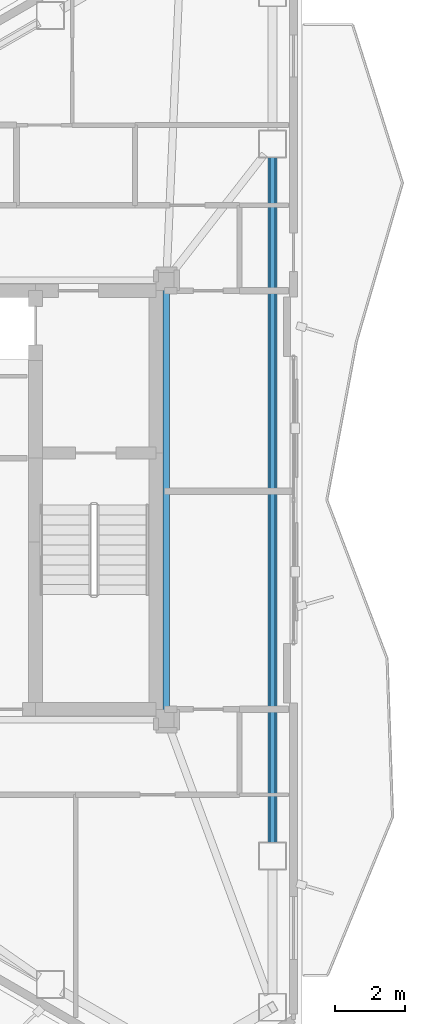
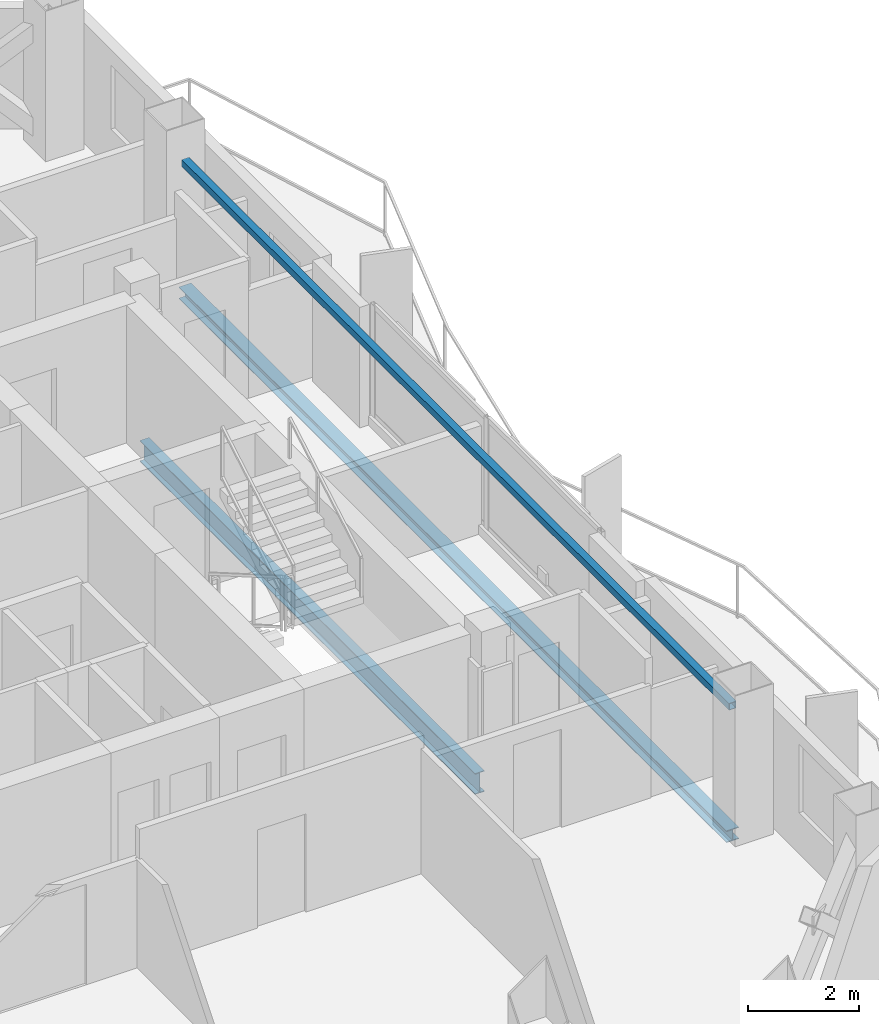
# One storey, part 11 of 18: 3 beams.
"""IFC4 building model written with IfcOpenShell, lengths in metres."""

from ifc_helpers import new_model, si_unit, direction, frame, origin, origin_2d, place, context, subcontext, project, spatial, hollow_rectangle, i_section, extrude, material, material_profile, profile_set, type_object, element, save


model = new_model("IFC4")

# Units and contexts
model_context = context("Model", 3, precision=1e-05, world=origin(), true_north=direction((0.0, 1.0)))
body_context = subcontext(model_context, "Body", "Model", "MODEL_VIEW")
ifc_project = project(units=[si_unit("LENGTHUNIT", "METRE"), si_unit("AREAUNIT", "SQUARE_METRE"), si_unit("VOLUMEUNIT", "CUBIC_METRE"), si_unit("PLANEANGLEUNIT", "RADIAN"), si_unit("MASSUNIT", "GRAM", prefix="KILO")], contexts=[model_context])

# Site, building, storey
site_placement = place(None, origin())
site = spatial("IfcSite", under=ifc_project, at=site_placement, CompositionType="ELEMENT")
building_placement = place(site_placement, origin())
building = spatial("IfcBuilding", under=site, at=building_placement, Name="Mersakhor Tower and Convention Hall", CompositionType="ELEMENT")
storey_placement = place(building_placement, frame((0.0, 0.0, 246.300048828125)))
storey = spatial("IfcBuildingStorey", under=building, at=storey_placement, Name="L69", CompositionType="ELEMENT", Elevation=246.300048828125)

# Beams
ifc_material_1 = material(Name="Steel S355", Category="steel")
ifc_material_profile_1 = material_profile(ifc_material_1, i_section(OverallWidth=0.19140625, OverallDepth=0.4599609375, WebThickness=0.010009765625, FlangeThickness=0.01611328125, at=origin_2d()), Name="UB 457x191x82")
ifc_profile_set_1 = profile_set([ifc_material_profile_1], Name="Steel S355")
beam_type_1 = type_object("IfcBeamType", Name="BM-FB-457", PredefinedType="BEAM", material=ifc_profile_set_1)
beam_1_placement = place(storey_placement, frame((36.10009765625, 32.77001953125, -0.449951171875), z_axis=(0.0, -1.0, 0.0), x_axis=(1.0, 0.0, 0.0)))
element("IfcBeam", 1, at=beam_1_placement, inside=storey, type_object=beam_type_1, Name="L69 Core Ring Tie Beam CRB-3", PredefinedType="BEAM", context=body_context, shape_type="SweptSolid", body=[
    extrude(i_section(OverallWidth=0.19140625, OverallDepth=0.4599609375, WebThickness=0.010009765625, FlangeThickness=0.01611328125, at=origin_2d()), origin(), (0.0, 0.0, 1.0), 12.0400390625),
])
ifc_material_2 = material(Name="Steel S355", Category="steel")
ifc_material_profile_2 = material_profile(ifc_material_2, hollow_rectangle(XDim=0.14990234375, YDim=0.14990234375, WallThickness=0.010009765625, at=origin_2d()), Name="SHS 150x150x10")
ifc_profile_set_2 = profile_set([ifc_material_profile_2], Name="Steel S355")
beam_type_2 = type_object("IfcBeamType", Name="BM-GRT-SHS150", PredefinedType="USERDEFINED", material=ifc_profile_set_2)
beam_2_placement = place(storey_placement, frame((39.142822265625, 36.580810546875, 2.47998046875), z_axis=(0.0, -1.0, 0.0), x_axis=(1.0, 0.0, 0.0)))
element("IfcBeam", 2, at=beam_2_placement, inside=storey, type_object=beam_type_2, Name="L69 Facade Support Girt GRT-F2", ObjectType="GIRT", PredefinedType="USERDEFINED", context=body_context, shape_type="SweptSolid", body=[
    extrude(hollow_rectangle(XDim=0.14990234375, YDim=0.14990234375, WallThickness=0.010009765625, at=origin_2d()), origin(), (0.0, 0.0, 1.0), 19.66162109375),
])
ifc_material_3 = material(Name="Steel S355", Category="steel")
ifc_material_profile_3 = material_profile(ifc_material_3, i_section(OverallWidth=0.25634765625, OverallDepth=0.26025390625, WebThickness=0.01025390625, FlangeThickness=0.017333984375, at=origin_2d()), Name="UC 254x254x89")
ifc_profile_set_3 = profile_set([ifc_material_profile_3], Name="Steel S355")
beam_type_3 = type_object("IfcBeamType", Name="BM-SPD-UC254", PredefinedType="SPANDREL", material=ifc_profile_set_3)
beam_3_placement = place(storey_placement, frame((39.142822265625, 36.580810546875, -0.35009765625), z_axis=(0.0, -1.0, 0.0), x_axis=(1.0, 0.0, 0.0)))
element("IfcBeam", 3, at=beam_3_placement, inside=storey, type_object=beam_type_3, Name="L69 Perimeter Spandrel Beam SPB-06", PredefinedType="SPANDREL", context=body_context, shape_type="SweptSolid", body=[
    extrude(i_section(OverallWidth=0.25634765625, OverallDepth=0.26025390625, WebThickness=0.01025390625, FlangeThickness=0.017333984375, at=origin_2d()), origin(), (0.0, 0.0, 1.0), 19.66162109375),
])

save(model, "model.ifc")
